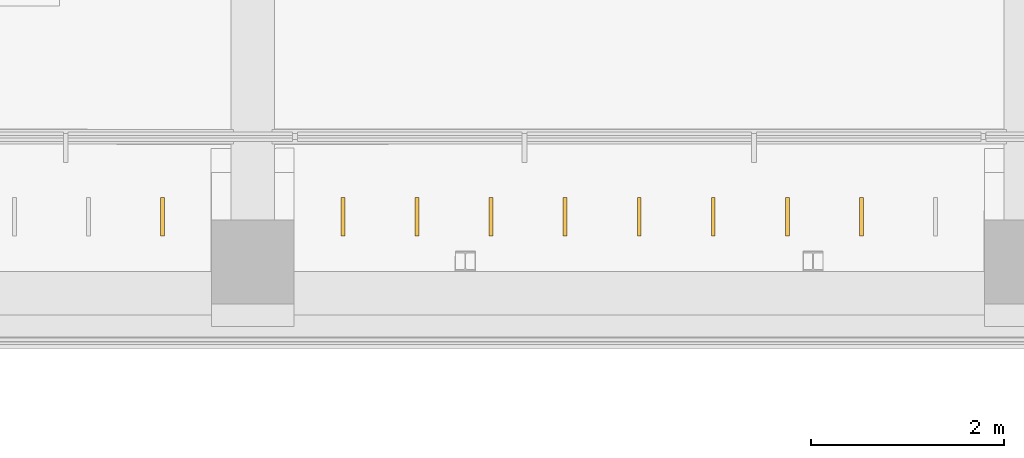
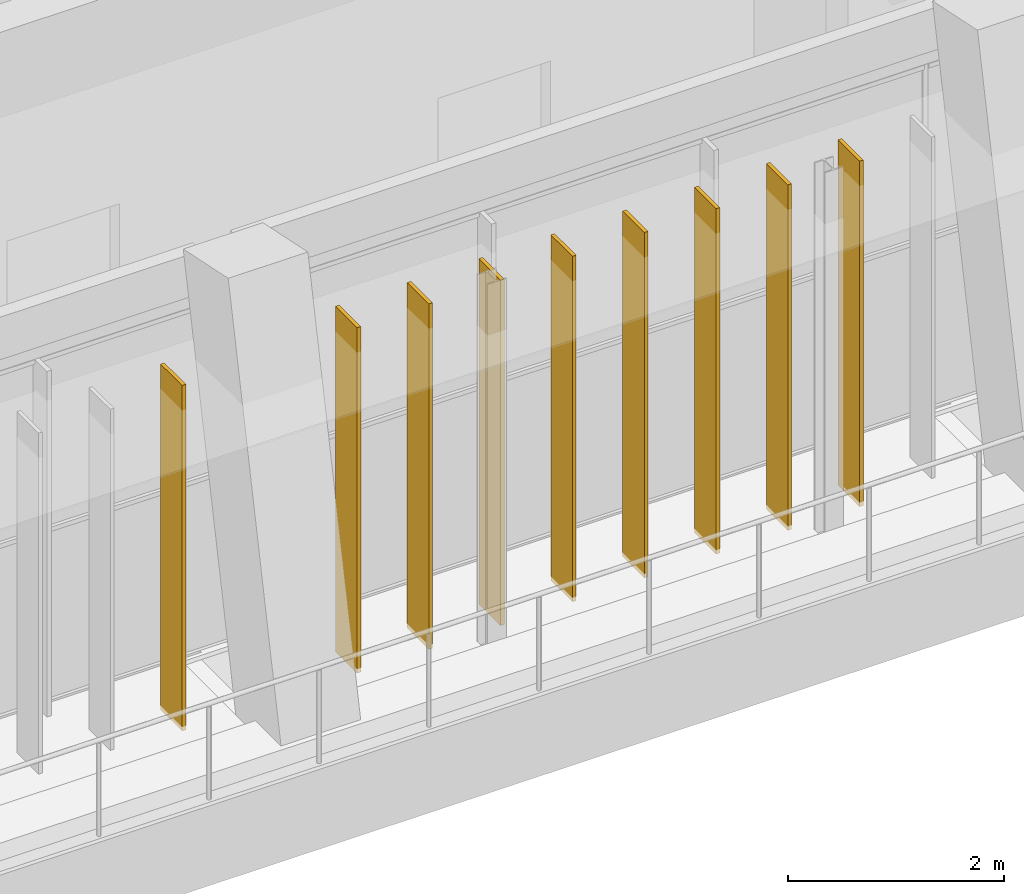
# One storey, part 85 of 92: 9 shading devices.
"""IFC4 building model written with IfcOpenShell, lengths in metres."""

from ifc_helpers import new_model, si_unit, direction, frame, origin, origin_2d, place, context, subcontext, project, spatial, rectangle, extrude, material, layer, layer_set, type_object, element, save


model = new_model("IFC4")

# Units and contexts
model_context = context("Model", 3, precision=1e-05, world=origin(), true_north=direction((0.0, 1.0)))
body_context = subcontext(model_context, "Body", "Model", "MODEL_VIEW")
ifc_project = project(units=[si_unit("LENGTHUNIT", "METRE"), si_unit("AREAUNIT", "SQUARE_METRE"), si_unit("VOLUMEUNIT", "CUBIC_METRE"), si_unit("PLANEANGLEUNIT", "RADIAN"), si_unit("MASSUNIT", "GRAM", prefix="KILO")], contexts=[model_context])

# Site, building, storey
site_placement = place(None, origin())
site = spatial("IfcSite", under=ifc_project, at=site_placement, CompositionType="ELEMENT")
building_placement = place(site_placement, origin())
building = spatial("IfcBuilding", under=site, at=building_placement, Name="Lantern Court Media Centre", CompositionType="ELEMENT")
storey_placement = place(building_placement, frame((0.0, 0.0, 4.800048828125)))
storey = spatial("IfcBuildingStorey", under=building, at=storey_placement, Name="L01", CompositionType="ELEMENT", Elevation=4.800048828125)

# Shading devices
ifc_material = material(Name="Bronze anodised aluminium louvre", Category="aluminium")
ifc_layer = layer(ifc_material, 0.0400390625)
ifc_layer_set = layer_set([ifc_layer], Name="Bronze anodised aluminium louvre")
shading_device_type = type_object("IfcShadingDeviceType", Name="Vertical louvre 40x400 under beam", PredefinedType="USERDEFINED", material=ifc_layer_set)
for number, where, z_axis, x_axis, name in (
    (1, (47.066650390625, 98.320068359375, 0.0), (0.0, 0.0, 1.0), (1.0, 0.0, 0.0), "Vertical louvre N inner L01"),
    (2, (48.933349609375, 98.320068359375, 0.0), (0.0, 0.0, 1.0), (1.0, 0.0, 0.0), "Vertical louvre N inner L01"),
    (3, (49.699951171875, 98.320068359375, 0.0), (0.0, 0.0, 1.0), (1.0, 0.0, 0.0), "Vertical louvre N inner L01"),
    (4, (50.466552734375, 98.320068359375, 0.0), (0.0, 0.0, 1.0), (1.0, 0.0, 0.0), "Vertical louvre N inner L01"),
    (5, (51.2333984375, 98.320068359375, 0.0), (0.0, 0.0, 1.0), (1.0, 0.0, 0.0), "Vertical louvre N inner L01"),
    (6, (52.0, 98.320068359375, 0.0), (0.0, 0.0, 1.0), (1.0, 0.0, 0.0), "Vertical louvre N inner L01"),
    (7, (52.7666015625, 98.320068359375, 0.0), (0.0, 0.0, 1.0), (1.0, 0.0, 0.0), "Vertical louvre N inner L01"),
    (8, (53.533447265625, 98.320068359375, 0.0), (0.0, 0.0, 1.0), (1.0, 0.0, 0.0), "Vertical louvre N inner L01"),
    (9, (54.300048828125, 98.320068359375, 0.0), (0.0, 0.0, 1.0), (1.0, 0.0, 0.0), "Vertical louvre N inner L01"),
):
    element("IfcShadingDevice", number, at=place(storey_placement, frame(where, z_axis=z_axis, x_axis=x_axis)), inside=storey, type_object=shading_device_type, Name=name, ObjectType="VERTICAL LOUVRE", PredefinedType="USERDEFINED", context=body_context, shape_type="SweptSolid", body=[
        extrude(rectangle(XDim=0.0400390625, YDim=0.39990234375, at=origin_2d()), origin(), (0.0, 0.0, 1.0), 3.89990234375),
    ])

save(model, "model.ifc")
